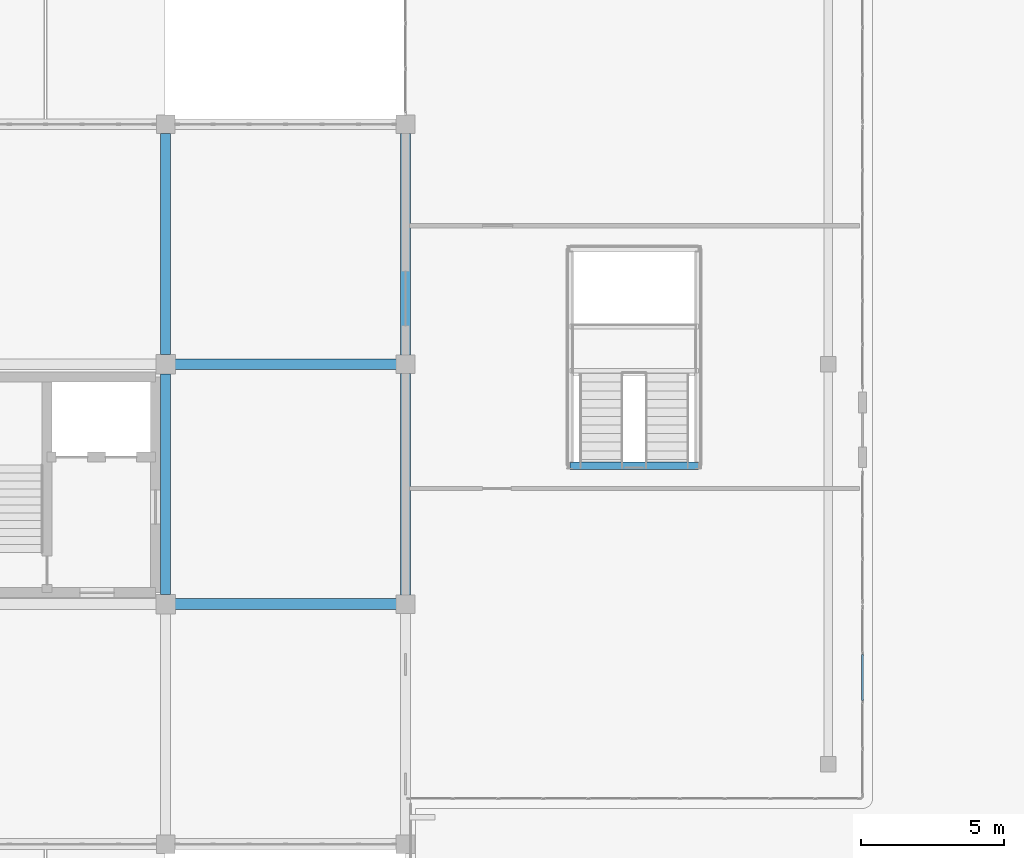
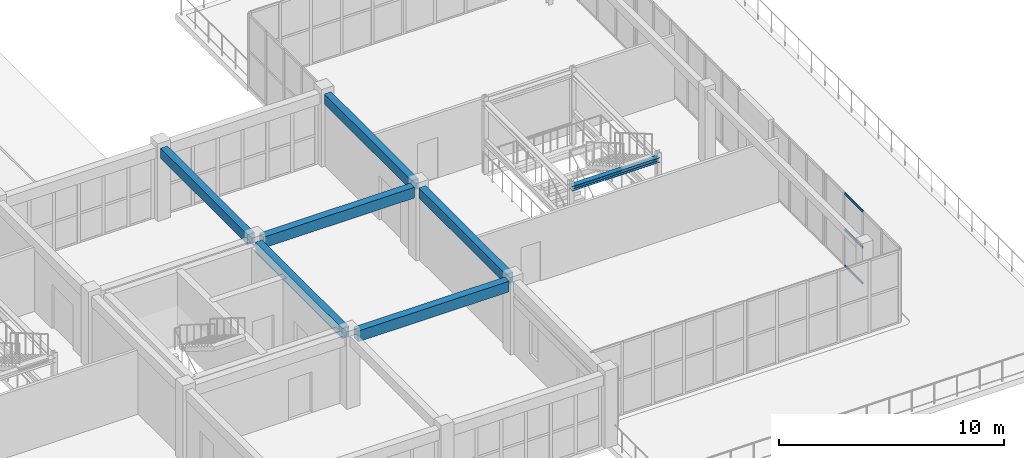
# One storey, part 29 of 90: 7 beams, 3 members, 1 element without a shape of its own.
"""IFC4 building model written with IfcOpenShell, lengths in metres."""

from ifc_helpers import new_model, si_unit, direction, frame, origin, origin_2d, place, context, subcontext, project, spatial, rectangle, hollow_rectangle, i_section, extrude, material, layer, layer_set, material_profile, profile_set, type_object, element, aggregate, save


model = new_model("IFC4")

# Units and contexts
model_context = context("Model", 3, precision=1e-05, world=origin(), true_north=direction((0.0, 1.0)))
body_context = subcontext(model_context, "Body", "Model", "MODEL_VIEW")
ifc_project = project(units=[si_unit("LENGTHUNIT", "METRE"), si_unit("AREAUNIT", "SQUARE_METRE"), si_unit("VOLUMEUNIT", "CUBIC_METRE"), si_unit("PLANEANGLEUNIT", "RADIAN"), si_unit("MASSUNIT", "GRAM", prefix="KILO")], contexts=[model_context])

# Site, building, storey
site_placement = place(None, origin())
site = spatial("IfcSite", under=ifc_project, at=site_placement, CompositionType="ELEMENT")
building_placement = place(site_placement, origin())
building = spatial("IfcBuilding", under=site, at=building_placement, Name="Trelvath General Hospital", CompositionType="ELEMENT")
storey_placement = place(building_placement, frame((0.0, 0.0, 20.39990234375)))
storey = spatial("IfcBuildingStorey", under=building, at=storey_placement, Name="L05", CompositionType="ELEMENT", Elevation=20.39990234375)

# Beams
ifc_material_1 = material(Name="Concrete C35/45", Category="concrete")
ifc_material_profile_1 = material_profile(ifc_material_1, rectangle(XDim=0.35009765625, YDim=0.550048828125, at=origin_2d()), Name="RCB350x550")
ifc_profile_set_1 = profile_set([ifc_material_profile_1], Name="Concrete C35/45")
beam_type_1 = type_object("IfcBeamType", Name="Beam RC350x550", PredefinedType="BEAM", material=ifc_profile_set_1)
beam_1_placement = place(storey_placement, frame((84.0, 50.735107421875, 3.64501953125), z_axis=(0.0, 1.0, 0.0), x_axis=(-1.0, 0.0, 0.0)))
element("IfcBeam", 1, at=beam_1_placement, inside=storey, type_object=beam_type_1, Name="Grid Beam BY-510G", PredefinedType="BEAM", context=body_context, shape_type="SweptSolid", body=[
    extrude(rectangle(XDim=0.35009765625, YDim=0.550048828125, at=origin_2d()), origin(), (0.0, 0.0, 1.0), 7.72998046875),
])
beam_2_placement = place(storey_placement, frame((84.0, 59.135009765625, 3.64501953125), z_axis=(0.0, 1.0, 0.0), x_axis=(-1.0, 0.0, 0.0)))
element("IfcBeam", 2, at=beam_2_placement, inside=storey, type_object=beam_type_1, Name="Grid Beam BY-510H", PredefinedType="BEAM", context=body_context, shape_type="SweptSolid", body=[
    extrude(rectangle(XDim=0.35009765625, YDim=0.550048828125, at=origin_2d()), origin(), (0.0, 0.0, 1.0), 7.744873046875),
])
beam_3_placement = place(storey_placement, frame((92.39990234375, 50.719970703125, 3.64501953125), z_axis=(0.0, 1.0, 0.0), x_axis=(-1.0, 0.0, 0.0)))
element("IfcBeam", 3, at=beam_3_placement, inside=storey, type_object=beam_type_1, Name="Grid Beam BY-511G", PredefinedType="BEAM", context=body_context, shape_type="SweptSolid", body=[
    extrude(rectangle(XDim=0.35009765625, YDim=0.550048828125, at=origin_2d()), origin(), (0.0, 0.0, 1.0), 7.760009765625),
])
beam_4_placement = place(storey_placement, frame((92.39990234375, 59.1201171875, 3.64501953125), z_axis=(0.0, 1.0, 0.0), x_axis=(-1.0, 0.0, 0.0)))
element("IfcBeam", 4, at=beam_4_placement, inside=storey, type_object=beam_type_1, Name="Grid Beam BY-511H", PredefinedType="BEAM", context=body_context, shape_type="SweptSolid", body=[
    extrude(rectangle(XDim=0.35009765625, YDim=0.550048828125, at=origin_2d()), origin(), (0.0, 0.0, 1.0), 7.759765625),
])
ifc_material_2 = material(Name="Concrete C35/45", Category="concrete")
ifc_material_profile_2 = material_profile(ifc_material_2, rectangle(XDim=0.3798828125, YDim=0.580078125, at=origin_2d()), Name="RCB380x580")
ifc_profile_set_2 = profile_set([ifc_material_profile_2], Name="Concrete C35/45")
beam_type_2 = type_object("IfcBeamType", Name="Beam RC380x580", PredefinedType="BEAM", material=ifc_profile_set_2)
for number, where, z_axis, x_axis, name in (
    (5, (84.3349609375, 50.39990234375, 3.630126953125), (1.0, 0.0, 0.0), (0.0, 1.0, 0.0), "Grid Beam BX-510G"),
    (6, (84.3349609375, 58.800048828125, 3.630126953125), (1.0, 0.0, 0.0), (0.0, 1.0, 0.0), "Grid Beam BX-510H"),
):
    element("IfcBeam", number, at=place(storey_placement, frame(where, z_axis=z_axis, x_axis=x_axis)), inside=storey, type_object=beam_type_2, Name=name, PredefinedType="BEAM", context=body_context, shape_type="SweptSolid", body=[
        extrude(rectangle(XDim=0.3798828125, YDim=0.580078125, at=origin_2d()), origin(), (0.0, 0.0, 1.0), 7.7451171875),
    ])

# Curtain wall, members
ifc_material_3 = material(Name="Anodised aluminium and low-E glass", Category="aluminium")
ifc_layer = layer(ifc_material_3, 0.14990234375)
ifc_layer_set = layer_set([ifc_layer], Name="Anodised aluminium and low-E glass")
curtain_wall_type = type_object("IfcCurtainWallType", Name="CW CrystalCube 664 396 15", PredefinedType="USERDEFINED", material=ifc_layer_set)
curtain_wall_placement = place(storey_placement, origin())
curtain_wall = element("IfcCurtainWall", 7, at=curtain_wall_placement, inside=storey, type_object=curtain_wall_type, Name="Crystal Cube Curtain Wall CUBE-E-T2 E1 L05", ObjectType="Unitised Glazed Curtain Wall", PredefinedType="USERDEFINED")
ifc_material_4 = material(Name="Anodised aluminium", Category="aluminium")
ifc_material_profile_3 = material_profile(ifc_material_4, hollow_rectangle(XDim=0.06005859375, YDim=0.110107421875, WallThickness=0.00390625, at=origin_2d()), Name="RHS60x110x4")
ifc_profile_set_3 = profile_set([ifc_material_profile_3], Name="Anodised aluminium")
member_type = type_object("IfcMemberType", Name="CurtainTransom 60x110", PredefinedType="USERDEFINED", material=ifc_profile_set_3)
member_1_placement = place(storey_placement, frame((108.39990234375, 48.6298828125, 0.030029296875), z_axis=(0.0, -1.0, 0.0), x_axis=(1.0, 0.0, 0.0)))
member_1 = element("IfcMember", 8, at=member_1_placement, type_object=member_type, Name="CW-319 transom 2.1", ObjectType="TRANSOM", PredefinedType="USERDEFINED", context=body_context, shape_type="SweptSolid", body=[
    extrude(hollow_rectangle(XDim=0.06005859375, YDim=0.110107421875, WallThickness=0.00390625, at=origin_2d()), origin(), (0.0, 0.0, 1.0), 1.599853515625),
])
member_2_placement = place(storey_placement, frame((108.39990234375, 48.6298828125, 1.97998046875), z_axis=(0.0, -1.0, 0.0), x_axis=(1.0, 0.0, 0.0)))
member_2 = element("IfcMember", 9, at=member_2_placement, type_object=member_type, Name="CW-319 transom 2.2", ObjectType="TRANSOM", PredefinedType="USERDEFINED", context=body_context, shape_type="SweptSolid", body=[
    extrude(hollow_rectangle(XDim=0.06005859375, YDim=0.110107421875, WallThickness=0.00390625, at=origin_2d()), origin(), (0.0, 0.0, 1.0), 1.599853515625),
])
member_3_placement = place(storey_placement, frame((108.39990234375, 48.6298828125, 3.93017578125), z_axis=(0.0, -1.0, 0.0), x_axis=(1.0, 0.0, 0.0)))
member_3 = element("IfcMember", 10, at=member_3_placement, type_object=member_type, Name="CW-319 transom 2.3", ObjectType="TRANSOM", PredefinedType="USERDEFINED", context=body_context, shape_type="SweptSolid", body=[
    extrude(hollow_rectangle(XDim=0.06005859375, YDim=0.110107421875, WallThickness=0.00390625, at=origin_2d()), origin(), (0.0, 0.0, 1.0), 1.599853515625),
])
aggregate(curtain_wall, [member_1, member_2, member_3])

# Beam
ifc_material_5 = material(Name="Steel S355", Category="steel")
ifc_material_profile_4 = material_profile(ifc_material_5, i_section(OverallWidth=0.260009765625, OverallDepth=0.25, WebThickness=0.007568359375, FlangeThickness=0.012451171875, at=origin_2d()), Name="HEA260")
ifc_profile_set_4 = profile_set([ifc_material_profile_4], Name="Steel S355")
beam_type_3 = type_object("IfcBeamType", Name="RingBeam HEA260", PredefinedType="BEAM", material=ifc_profile_set_4)
beam_5_placement = place(storey_placement, frame((98.14990234375, 55.25, 3.815185546875), z_axis=(1.0, 0.0, 0.0), x_axis=(0.0, 1.0, 0.0)))
element("IfcBeam", 11, at=beam_5_placement, inside=storey, type_object=beam_type_3, Name="Atrium Ring Beam CUBE-E S L05", PredefinedType="BEAM", context=body_context, shape_type="SweptSolid", body=[
    extrude(i_section(OverallWidth=0.260009765625, OverallDepth=0.25, WebThickness=0.007568359375, FlangeThickness=0.012451171875, at=origin_2d()), origin(), (0.0, 0.0, 1.0), 4.5),
])

save(model, "model.ifc")
